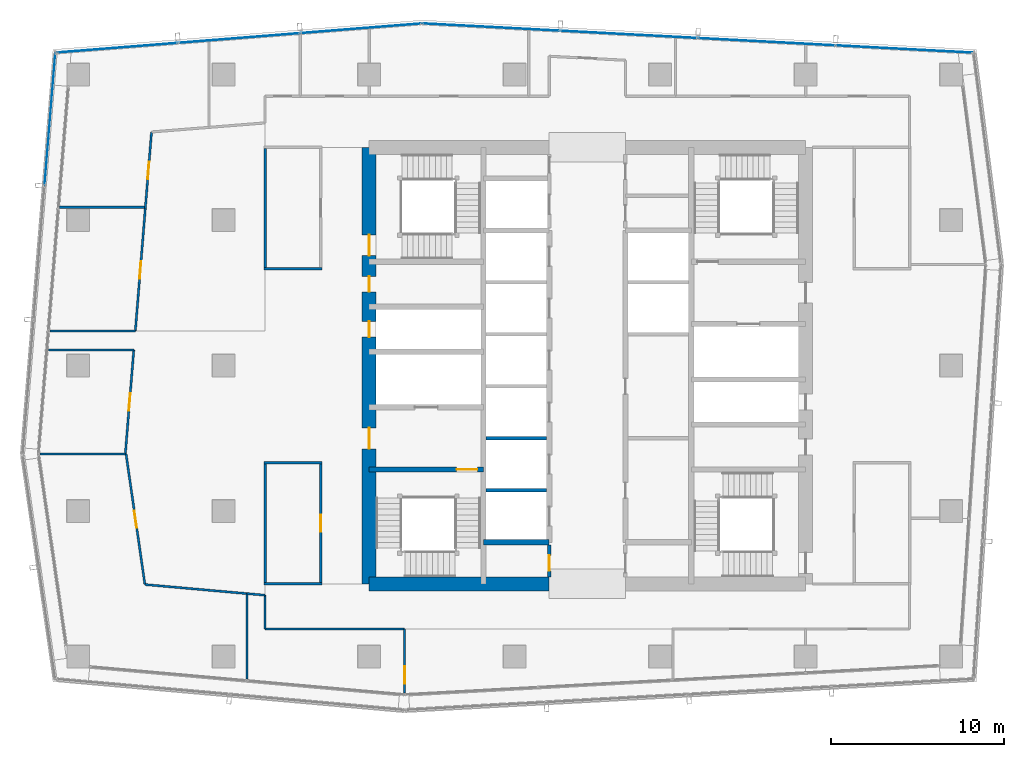
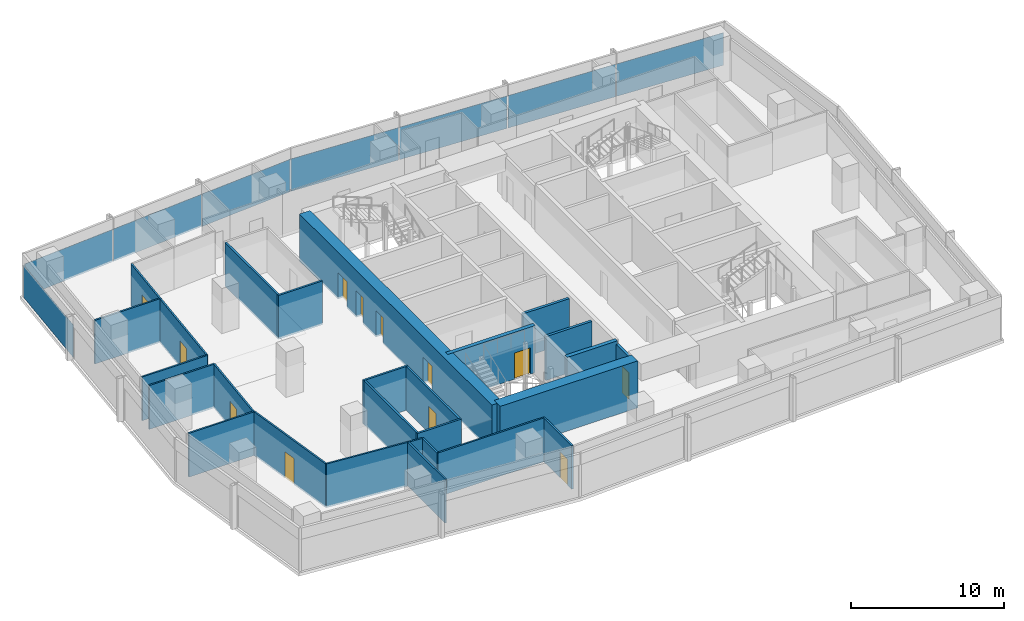
# One storey, part 22 of 29: 27 walls, 12 doors, 8 plates, 12 openings, 3 elements without a shape of their own.
"""IFC4 building model written with IfcOpenShell, lengths in metres."""

import ifcopenshell
import ifcopenshell.guid

model = None  # the IFC model being written
_history = None  # IfcOwnerHistory: only IFC2X3 demands one
_inside = {}  # id of a spatial element -> (the spatial element, [elements in it])
_under = {}  # id of a project, library or spatial element -> (it, [spatial elements below it])
_declared = {}  # id of a project -> (the project, [libraries it declares])
_typed = {}  # id of a type object -> (the type object, [elements of that type])
_made_of = {}  # id of a material, layer set ... -> (it, [elements and type objects made of it])


def new_model(schema):
    """Start an empty IFC model of exactly this schema.

    Asked for "IFC4X3", IfcOpenShell would pick the latest addendum, in which some entities
    have other attributes; the version numbers below select the first issue.
    IFC2X3 requires an IfcOwnerHistory on every rooted entity: one is made here for all.
    """
    global model, _history
    if schema == "IFC4X3":
        model = ifcopenshell.file(schema_version=(4, 3, 0, 0))
    else:
        model = ifcopenshell.file(schema=schema)
    _inside.clear()
    _under.clear()
    _declared.clear()
    _typed.clear()
    _made_of.clear()
    _history = None
    if model.schema == "IFC2X3":
        org = make("IfcOrganization", Name="unknown")
        user = make(
            "IfcPersonAndOrganization",
            ThePerson=make("IfcPerson", FamilyName="unknown"),
            TheOrganization=org,
        )
        app = make(
            "IfcApplication",
            ApplicationDeveloper=org,
            Version="unknown",
            ApplicationFullName="unknown",
            ApplicationIdentifier="unknown",
        )
        _history = make(
            "IfcOwnerHistory",
            OwningUser=user,
            OwningApplication=app,
            ChangeAction="ADDED",
            CreationDate=0,
        )
    return model


def make(cls, **values):
    """One entity of the class cls with the attributes given. An attribute that is None is left unset."""
    return model.create_entity(
        cls, **{name: value for name, value in values.items() if value is not None}
    )


def rooted(cls, **values):
    """An entity with a GlobalId (a new one), such as an element, a storey or a relation."""
    return make(cls, GlobalId=ifcopenshell.guid.new(), OwnerHistory=_history, **values)


def si_unit(unit_type, name, prefix=None):
    """IfcSIUnit, for example si_unit("LENGTHUNIT", "METRE", prefix="MILLI")."""
    return make("IfcSIUnit", UnitType=unit_type, Prefix=prefix, Name=name)


def assignment(units):
    """IfcUnitAssignment: the units of a project."""
    return None if units is None else make("IfcUnitAssignment", Units=units)


def point(xyz):
    """IfcCartesianPoint."""
    return None if xyz is None else make("IfcCartesianPoint", Coordinates=xyz)


def direction(xyz):
    """IfcDirection."""
    return None if xyz is None else make("IfcDirection", DirectionRatios=xyz)


def frame(location, z_axis=None, x_axis=None):
    """IfcAxis2Placement3D, a coordinate frame: its origin and axes. An axis left out is left unset."""
    return make(
        "IfcAxis2Placement3D",
        Location=point(location),
        Axis=direction(z_axis),
        RefDirection=direction(x_axis),
    )


def frame_2d(location, x_axis=None):
    """IfcAxis2Placement2D, a coordinate frame in the plane: its origin and x axis."""
    return make(
        "IfcAxis2Placement2D", Location=point(location), RefDirection=direction(x_axis)
    )


def origin():
    """The frame at (0, 0, 0) with its axes left unset."""
    return frame((0.0, 0.0, 0.0))


def origin_2d():
    """The frame at (0, 0) in the plane with its x axis left unset."""
    return frame_2d((0.0, 0.0))


def place(relative_to, where):
    """IfcLocalPlacement: puts the frame where relative to a parent placement (None: the world)."""
    return make(
        "IfcLocalPlacement", PlacementRelTo=relative_to, RelativePlacement=where
    )


def context(
    kind, dimensions, precision=None, world=None, true_north=None, identifier=None
):
    """IfcGeometricRepresentationContext, for example the 3D "Model" context."""
    return make(
        "IfcGeometricRepresentationContext",
        ContextIdentifier=identifier,
        ContextType=kind,
        CoordinateSpaceDimension=dimensions,
        Precision=precision,
        WorldCoordinateSystem=world,
        TrueNorth=true_north,
    )


def subcontext(parent, identifier, kind, view, scale=None):
    """IfcGeometricRepresentationSubContext, for example "Body" below "Model"."""
    return make(
        "IfcGeometricRepresentationSubContext",
        ContextIdentifier=identifier,
        ContextType=kind,
        ParentContext=parent,
        TargetScale=scale,
        TargetView=view,
    )


def project(units=None, contexts=None):
    """IfcProject with its units and contexts."""
    return rooted(
        "IfcProject",
        Name="project",
        RepresentationContexts=contexts,
        UnitsInContext=assignment(units),
    )


def spatial(cls, under=None, at=None, **own):
    """A site, building, storey or space (cls), placed at a placement, below another one or the project."""
    s = rooted(cls, ObjectPlacement=at, **own)
    if under is not None:
        _under.setdefault(under.id(), (under, []))[1].append(s)
    return s


def profile(cls, at=None, kind="AREA", **sizes):
    """A parametric profile (cls). Its sizes go by their IFC names, for example OverallWidth=200.0."""
    return make(cls, ProfileType=kind, Position=at, **sizes)


def rectangle(**sizes):
    """IfcRectangleProfileDef."""
    return profile("IfcRectangleProfileDef", **sizes)


def extrude(swept, where, along, depth):
    """IfcExtrudedAreaSolid: the profile swept, set in the frame where, extruded along a direction by depth."""
    return make(
        "IfcExtrudedAreaSolid",
        SweptArea=swept,
        Position=where,
        ExtrudedDirection=direction(along),
        Depth=depth,
    )


def shape(context_of_items, identifier, shape_type, items):
    """IfcShapeRepresentation: the items that make up one representation, for example the "Body"."""
    return make(
        "IfcShapeRepresentation",
        ContextOfItems=context_of_items,
        RepresentationIdentifier=identifier,
        RepresentationType=shape_type,
        Items=items,
    )


def material(Name=None, Category=None):
    """IfcMaterial."""
    return make("IfcMaterial", Name=Name, Category=Category)


def layer(
    of_material, thickness, ventilated=None, Name=None, Category=None, Priority=None
):
    """IfcMaterialLayer: one layer of a wall or slab, of a material (None: an air gap)."""
    return make(
        "IfcMaterialLayer",
        Material=of_material,
        LayerThickness=thickness,
        IsVentilated=ventilated,
        Name=Name,
        Category=Category,
        Priority=Priority,
    )


def layer_set(layers, Name=None):
    """IfcMaterialLayerSet."""
    return make("IfcMaterialLayerSet", MaterialLayers=layers, LayerSetName=Name)


def made_of(thing, what):
    """Note that an element or type object is made of a material, layer set ...; save() writes the relation."""
    if what is not None:
        _made_of.setdefault(what.id(), (what, []))[1].append(thing)
    return thing


def type_object(cls, material=None, **own):
    """A type object (cls), such as IfcWallType, which elements share."""
    return made_of(rooted(cls, **own), material)


def element(
    cls,
    number,
    at=None,
    inside=None,
    cuts=None,
    type_object=None,
    material=None,
    context=None,
    identifier="Body",
    shape_type=None,
    held_by="IfcProductDefinitionShape",
    body=None,
    shapes=None,
    **own,
):
    """One element of the class cls, such as IfcWall. Its Tag is "e" and its number.

    at: its placement. inside: the storey or other place that contains it. cuts: it is an
    opening in that element (IfcRelVoidsElement). A single representation is given by context,
    identifier, shape_type and body (its items); several are given by shapes. held_by: the class
    of the entity that holds the representations. save() writes the other relations.
    """
    e = rooted(cls, Tag="e%d" % number, ObjectPlacement=at, **own)
    if body is not None:
        shapes = [shape(context, identifier, shape_type, body)]
    if shapes is not None:
        e.Representation = make(held_by, Representations=shapes)
    if inside is not None:
        _inside.setdefault(inside.id(), (inside, []))[1].append(e)
    if cuts is not None:
        rooted(
            "IfcRelVoidsElement", RelatingBuildingElement=cuts, RelatedOpeningElement=e
        )
    if type_object is not None:
        _typed.setdefault(type_object.id(), (type_object, []))[1].append(e)
    return made_of(e, material)


def fill(opening, filler):
    """IfcRelFillsElement: the door or window that sits in an opening."""
    return rooted(
        "IfcRelFillsElement",
        RelatingOpeningElement=opening,
        RelatedBuildingElement=filler,
    )


def aggregate(whole, parts):
    """IfcRelAggregates: a whole, such as a stair, and the parts it consists of."""
    return rooted("IfcRelAggregates", RelatingObject=whole, RelatedObjects=parts)


def save(model, path):
    """Write the relations noted so far, then the file.

    IfcRelAggregates (storeys below a building ...), IfcRelContainedInSpatialStructure (elements
    in a storey), IfcRelDefinesByType, IfcRelAssociatesMaterial and IfcRelDeclares: one each for
    every whole, place, type object, material and project.
    """
    for whole, parts in _under.values():
        aggregate(whole, parts)
    for where, things in _inside.values():
        rooted(
            "IfcRelContainedInSpatialStructure",
            RelatedElements=things,
            RelatingStructure=where,
        )
    for kind, things in _typed.values():
        rooted("IfcRelDefinesByType", RelatedObjects=things, RelatingType=kind)
    for what, things in _made_of.values():
        rooted("IfcRelAssociatesMaterial", RelatedObjects=things, RelatingMaterial=what)
    for by, libraries in _declared.values():
        rooted("IfcRelDeclares", RelatingContext=by, RelatedDefinitions=libraries)
    model.write(path)


model = new_model("IFC4")

# Units and contexts
model_context = context("Model", 3, precision=1e-05, world=origin(), true_north=direction((0.0, 1.0)))
body_context = subcontext(model_context, "Body", "Model", "MODEL_VIEW")
ifc_project = project(units=[si_unit("LENGTHUNIT", "METRE"), si_unit("AREAUNIT", "SQUARE_METRE"), si_unit("VOLUMEUNIT", "CUBIC_METRE"), si_unit("PLANEANGLEUNIT", "RADIAN"), si_unit("MASSUNIT", "GRAM", prefix="KILO")], contexts=[model_context])

# Site, building, storey
site_placement = place(None, origin())
site = spatial("IfcSite", under=ifc_project, at=site_placement, CompositionType="ELEMENT")
building_placement = place(site_placement, origin())
building = spatial("IfcBuilding", under=site, at=building_placement, Name="Rekha Terrace Tower", CompositionType="ELEMENT")
storey_placement = place(building_placement, frame((0.0, 0.0, 257.60009765625)))
storey = spatial("IfcBuildingStorey", under=building, at=storey_placement, Name="L65", CompositionType="ELEMENT", Elevation=257.60009765625)

# Curtain wall, plate
ifc_material_1 = material(Name="Aluminium framing", Category="aluminium")
curtain_wall_type_1 = type_object("IfcCurtainWallType", Name="CW2 double skin outer glazing", PredefinedType="USERDEFINED", material=ifc_material_1)
curtain_wall_1_placement = place(storey_placement, origin())
curtain_wall_1 = element("IfcCurtainWall", 1, at=curtain_wall_1_placement, inside=storey, type_object=curtain_wall_type_1, Name="CW2 double skin outer glazing", ObjectType="DOUBLE SKIN OUTER GLAZING", PredefinedType="USERDEFINED")
ifc_material_2 = material(Name="Toughened single glazing 12", Category="glass")
ifc_layer_1 = layer(ifc_material_2, 0.011962890625)
ifc_layer_set_1 = layer_set([ifc_layer_1], Name="Toughened single glazing 12")
plate_type_1 = type_object("IfcPlateType", Name="CW2 jumbo vision panel, toughened single glazing 12", PredefinedType="CURTAIN_PANEL", material=ifc_layer_set_1)
plate_1_placement = place(storey_placement, frame((6.7822265625, 47.813720703125, -0.000244140625), z_axis=(0.0, 0.0, 1.0), x_axis=(-0.081067906816, -0.996708580521, 0.0)))
plate_1 = element("IfcPlate", 2, at=plate_1_placement, type_object=plate_type_1, Name="CW2 panel 1.1", PredefinedType="CURTAIN_PANEL", context=body_context, shape_type="SweptSolid", body=[
    extrude(rectangle(XDim=7.640869140625, YDim=0.011962890625, at=origin_2d()), origin(), (0.0, 0.0, 1.0), 2.60009765625),
])
aggregate(curtain_wall_1, [plate_1])

# Curtain wall, plates
curtain_wall_type_2 = type_object("IfcCurtainWallType", Name="CW3 north unitised glazing", PredefinedType="USERDEFINED", material=ifc_material_1)
curtain_wall_2_placement = place(storey_placement, origin())
curtain_wall_2 = element("IfcCurtainWall", 3, at=curtain_wall_2_placement, inside=storey, type_object=curtain_wall_type_2, Name="CW3 unitised curtain wall", ObjectType="UNITISED CURTAIN WALL", PredefinedType="USERDEFINED")
ifc_material_3 = material(Name="Double-glazed unit 28", Category="glass")
ifc_layer_2 = layer(ifc_material_3, 0.028076171875)
ifc_layer_set_2 = layer_set([ifc_layer_2], Name="Double-glazed unit 28")
plate_type_2 = type_object("IfcPlateType", Name="CW3 jumbo vision panel, double-glazed unit 28", PredefinedType="CURTAIN_PANEL", material=ifc_layer_set_2)
plate_2_placement = place(storey_placement, frame((56.080322265625, 51.871337890625, -0.000244140625), z_axis=(0.0, 0.0, 1.0), x_axis=(-0.998590089005, 0.053083275524, 0.0)))
plate_2 = element("IfcPlate", 4, at=plate_2_placement, type_object=plate_type_2, Name="CW3 panel 1.1", PredefinedType="CURTAIN_PANEL", context=body_context, shape_type="SweptSolid", body=[
    extrude(rectangle(XDim=7.856201171875, YDim=0.028076171875, at=origin_2d()), origin(), (0.0, 0.0, 1.0), 2.60009765625),
])
plate_3_placement = place(storey_placement, frame((48.14794921875, 52.29296875, -0.000244140625), z_axis=(0.0, 0.0, 1.0), x_axis=(-0.998590089005, 0.053083275524, 0.0)))
plate_3 = element("IfcPlate", 5, at=plate_3_placement, type_object=plate_type_2, Name="CW3 panel 2.1", PredefinedType="CURTAIN_PANEL", context=body_context, shape_type="SweptSolid", body=[
    extrude(rectangle(XDim=7.891357421875, YDim=0.028076171875, at=origin_2d()), origin(), (0.0, 0.0, 1.0), 2.60009765625),
])
plate_4_placement = place(storey_placement, frame((40.19775390625, 52.715576171875, -0.000244140625), z_axis=(0.0, 0.0, 1.0), x_axis=(-0.998590089005, 0.053083275524, 0.0)))
plate_4 = element("IfcPlate", 6, at=plate_4_placement, type_object=plate_type_2, Name="CW3 panel 3.1", PredefinedType="CURTAIN_PANEL", context=body_context, shape_type="SweptSolid", body=[
    extrude(rectangle(XDim=7.891357421875, YDim=0.028076171875, at=origin_2d()), origin(), (0.0, 0.0, 1.0), 2.60009765625),
])
plate_5_placement = place(storey_placement, frame((32.230224609375, 53.13916015625, -0.000244140625), z_axis=(0.0, 0.0, 1.0), x_axis=(-0.998590089005, 0.053083275524, 0.0)))
plate_5 = element("IfcPlate", 7, at=plate_5_placement, type_object=plate_type_2, Name="CW3 panel 4.1", PredefinedType="CURTAIN_PANEL", context=body_context, shape_type="SweptSolid", body=[
    extrude(rectangle(XDim=7.92626953125, YDim=0.028076171875, at=origin_2d()), origin(), (0.0, 0.0, 1.0), 2.60009765625),
])
aggregate(curtain_wall_2, [plate_2, plate_3, plate_4, plate_5])

curtain_wall_3_placement = place(storey_placement, origin())
curtain_wall_3 = element("IfcCurtainWall", 8, at=curtain_wall_3_placement, inside=storey, type_object=curtain_wall_type_2, Name="CW3 unitised curtain wall", ObjectType="UNITISED CURTAIN WALL", PredefinedType="USERDEFINED")
plate_6_placement = place(storey_placement, frame((24.732421875, 53.0673828125, -0.000244140625), z_axis=(0.0, 0.0, 1.0), x_axis=(-0.996836058026, -0.07948505154, 0.0)))
plate_6 = element("IfcPlate", 9, at=plate_6_placement, type_object=plate_type_2, Name="CW3 panel 1.1", PredefinedType="CURTAIN_PANEL", context=body_context, shape_type="SweptSolid", body=[
    extrude(rectangle(XDim=6.963134765625, YDim=0.028076171875, at=origin_2d()), origin(), (0.0, 0.0, 1.0), 2.60009765625),
])
plate_7_placement = place(storey_placement, frame((17.7041015625, 52.5068359375, -0.000244140625), z_axis=(0.0, 0.0, 1.0), x_axis=(-0.996836058026, -0.07948505154, 0.0)))
plate_7 = element("IfcPlate", 10, at=plate_7_placement, type_object=plate_type_2, Name="CW3 panel 2.1", PredefinedType="CURTAIN_PANEL", context=body_context, shape_type="SweptSolid", body=[
    extrude(rectangle(XDim=6.998046875, YDim=0.028076171875, at=origin_2d()), origin(), (0.0, 0.0, 1.0), 2.60009765625),
])
plate_8_placement = place(storey_placement, frame((10.67578125, 51.946533203125, -0.000244140625), z_axis=(0.0, 0.0, 1.0), x_axis=(-0.996836058026, -0.07948505154, 0.0)))
plate_8 = element("IfcPlate", 11, at=plate_8_placement, type_object=plate_type_2, Name="CW3 panel 3.1", PredefinedType="CURTAIN_PANEL", context=body_context, shape_type="SweptSolid", body=[
    extrude(rectangle(XDim=6.963134765625, YDim=0.028076171875, at=origin_2d()), origin(), (0.0, 0.0, 1.0), 2.60009765625),
])
aggregate(curtain_wall_3, [plate_6, plate_7, plate_8])

# Wall
ifc_material_4 = material(Name="Concrete M60", Category="concrete")
ifc_layer_3 = layer(ifc_material_4, 0.300048828125)
ifc_layer_set_3 = layer_set([ifc_layer_3], Name="Concrete M60")
wall_type_1 = type_object("IfcWallType", Name="CI5 300 core internal shear wall", PredefinedType="SHEAR", material=ifc_layer_set_3)
wall_1_placement = place(storey_placement, frame((31.800048828125, 23.39990234375, 0.0), z_axis=(0.0, 0.0, 1.0), x_axis=(1.0, 0.0, 0.0)))
element("IfcWall", 12, at=wall_1_placement, inside=storey, type_object=wall_type_1, Name="Core wall Y234W L65", PredefinedType="SHEAR", context=body_context, shape_type="SweptSolid", body=[
    extrude(rectangle(XDim=3.800048828125, YDim=0.300048828125, at=frame_2d((1.89990234375, 0.0))), origin(), (0.0, 0.0, 1.0), 3.75),
])

# Wall, opening, door
wall_2_placement = place(storey_placement, frame((25.199951171875, 27.60009765625, 0.0), z_axis=(0.0, 0.0, 1.0), x_axis=(1.0, 0.0, 0.0)))
wall_2 = element("IfcWall", 13, at=wall_2_placement, inside=storey, type_object=wall_type_1, Name="Core wall Y276W L65", PredefinedType="SHEAR", context=body_context, shape_type="SweptSolid", body=[
    extrude(rectangle(XDim=6.60009765625, YDim=0.300048828125, at=frame_2d((3.300048828125, 0.0))), origin(), (0.0, 0.0, 1.0), 3.75),
])
opening_1_placement = place(wall_2_placement, frame((5.050048828125, 0.0, 0.0)))
opening_1 = element("IfcOpeningElement", 14, at=opening_1_placement, cuts=wall_2, Name="Opening D1", PredefinedType="OPENING", context=body_context, shape_type="SweptSolid", body=[
    extrude(rectangle(XDim=1.199951171875, YDim=2.10009765625, at=frame_2d((0.60009765625, 1.050048828125))), frame((0.0, 0.159912109375, 0.0), z_axis=(0.0, -1.0, 0.0), x_axis=(1.0, 0.0, 0.0)), (0.0, 0.0, 1.0), 0.320068359375),
])
ifc_material_5 = material(Name="Steel fire door", Category="steel")
door_type_1 = type_object("IfcDoorType", Name="D1 1200x2100 stair fire door", OperationType="SINGLE_SWING_RIGHT", PredefinedType="DOOR", material=ifc_material_5)
door_1_placement = place(opening_1_placement, origin())
door_1 = element("IfcDoor", 15, at=door_1_placement, inside=storey, type_object=door_type_1, Name="Stair ST1 door L65", OperationType="SINGLE_SWING_RIGHT", OverallHeight=2.10009765625, OverallWidth=1.199951171875, PredefinedType="DOOR", context=body_context, shape_type="SweptSolid", body=[
    extrude(rectangle(XDim=1.199951171875, YDim=2.10009765625, at=frame_2d((0.60009765625, 1.050048828125))), frame((0.0, 0.02490234375, 0.0), z_axis=(0.0, -1.0, 0.0), x_axis=(1.0, 0.0, 0.0)), (0.0, 0.0, 1.0), 0.050048828125),
])
fill(opening_1, door_1)

# Wall
ifc_layer_4 = layer(ifc_material_4, 0.800048828125)
ifc_layer_set_4 = layer_set([ifc_layer_4], Name="Concrete M60")
wall_type_2 = type_object("IfcWallType", Name="SW5 800 core outer shear wall", PredefinedType="SHEAR", material=ifc_layer_set_4)
wall_3_placement = place(storey_placement, frame((25.199951171875, 21.0, 0.0), z_axis=(0.0, 0.0, 1.0), x_axis=(1.0, 0.0, 0.0)))
element("IfcWall", 16, at=wall_3_placement, inside=storey, type_object=wall_type_2, Name="Core wall S1 L65", PredefinedType="SHEAR", context=body_context, shape_type="SweptSolid", body=[
    extrude(rectangle(XDim=10.400146484375, YDim=0.800048828125, at=frame_2d((5.2001953125, 0.0))), origin(), (0.0, 0.0, 1.0), 3.75),
])

# Wall, openings, doors
wall_4_placement = place(storey_placement, frame((25.199951171875, 21.0, 0.0), z_axis=(0.0, 0.0, 1.0), x_axis=(0.0, 1.0, 0.0)))
wall_4 = element("IfcWall", 17, at=wall_4_placement, inside=storey, type_object=wall_type_2, Name="Core wall W L65", PredefinedType="SHEAR", context=body_context, shape_type="SweptSolid", body=[
    extrude(rectangle(XDim=25.199951171875, YDim=0.800048828125, at=frame_2d((12.60009765625, 0.0))), origin(), (0.0, 0.0, 1.0), 3.75),
])
opening_2_placement = place(wall_4_placement, frame((7.800048828125, 0.0, 0.0)))
opening_2 = element("IfcOpeningElement", 18, at=opening_2_placement, cuts=wall_4, Name="Opening D2", PredefinedType="OPENING", context=body_context, shape_type="SweptSolid", body=[
    extrude(rectangle(XDim=1.199951171875, YDim=2.10009765625, at=frame_2d((0.60009765625, 1.050048828125))), frame((0.0, 0.409912109375, 0.0), z_axis=(0.0, -1.0, 0.0), x_axis=(1.0, 0.0, 0.0)), (0.0, 0.0, 1.0), 0.820068359375),
])
opening_3_placement = place(wall_4_placement, frame((14.25, 0.0, 0.0)))
opening_3 = element("IfcOpeningElement", 19, at=opening_3_placement, cuts=wall_4, Name="Opening D5", PredefinedType="OPENING", context=body_context, shape_type="SweptSolid", body=[
    extrude(rectangle(XDim=0.89990234375, YDim=2.10009765625, at=frame_2d((0.449951171875, 1.050048828125))), frame((0.0, 0.409912109375, 0.0), z_axis=(0.0, -1.0, 0.0), x_axis=(1.0, 0.0, 0.0)), (0.0, 0.0, 1.0), 0.820068359375),
])
opening_4_placement = place(wall_4_placement, frame((16.85009765625, 0.0, 0.0)))
opening_4 = element("IfcOpeningElement", 20, at=opening_4_placement, cuts=wall_4, Name="Opening D5", PredefinedType="OPENING", context=body_context, shape_type="SweptSolid", body=[
    extrude(rectangle(XDim=0.89990234375, YDim=2.10009765625, at=frame_2d((0.449951171875, 1.050048828125))), frame((0.0, 0.409912109375, 0.0), z_axis=(0.0, -1.0, 0.0), x_axis=(1.0, 0.0, 0.0)), (0.0, 0.0, 1.0), 0.820068359375),
])
opening_5_placement = place(wall_4_placement, frame((18.949951171875, 0.0, 0.0)))
opening_5 = element("IfcOpeningElement", 21, at=opening_5_placement, cuts=wall_4, Name="Opening D1", PredefinedType="OPENING", context=body_context, shape_type="SweptSolid", body=[
    extrude(rectangle(XDim=1.199951171875, YDim=2.10009765625, at=frame_2d((0.60009765625, 1.050048828125))), frame((0.0, 0.409912109375, 0.0), z_axis=(0.0, -1.0, 0.0), x_axis=(1.0, 0.0, 0.0)), (0.0, 0.0, 1.0), 0.820068359375),
])
door_2_placement = place(opening_5_placement, origin())
door_2 = element("IfcDoor", 22, at=door_2_placement, inside=storey, type_object=door_type_1, Name="Stair ST4 door L65", OperationType="SINGLE_SWING_RIGHT", OverallHeight=2.10009765625, OverallWidth=1.199951171875, PredefinedType="DOOR", context=body_context, shape_type="SweptSolid", body=[
    extrude(rectangle(XDim=1.199951171875, YDim=2.10009765625, at=frame_2d((0.60009765625, 1.050048828125))), frame((0.0, 0.02490234375, 0.0), z_axis=(0.0, -1.0, 0.0), x_axis=(1.0, 0.0, 0.0)), (0.0, 0.0, 1.0), 0.050048828125),
])
fill(opening_5, door_2)
door_type_2 = type_object("IfcDoorType", Name="D2 1200x2100 firefighting lobby door", OperationType="SINGLE_SWING_LEFT", PredefinedType="DOOR", material=ifc_material_5)
door_3_placement = place(opening_2_placement, origin())
door_3 = element("IfcDoor", 23, at=door_3_placement, inside=storey, type_object=door_type_2, Name="Door flb1 L65", OperationType="SINGLE_SWING_LEFT", OverallHeight=2.10009765625, OverallWidth=1.199951171875, PredefinedType="DOOR", context=body_context, shape_type="SweptSolid", body=[
    extrude(rectangle(XDim=1.199951171875, YDim=2.10009765625, at=frame_2d((0.60009765625, 1.050048828125))), frame((0.0, 0.02490234375, 0.0), z_axis=(0.0, -1.0, 0.0), x_axis=(1.0, 0.0, 0.0)), (0.0, 0.0, 1.0), 0.050048828125),
])
fill(opening_2, door_3)
door_type_3 = type_object("IfcDoorType", Name="D5 900x2100 riser access door", OperationType="SINGLE_SWING_LEFT", PredefinedType="DOOR", material=ifc_material_5)
door_4_placement = place(opening_3_placement, origin())
door_4 = element("IfcDoor", 24, at=door_4_placement, inside=storey, type_object=door_type_3, Name="Door rs1 L65", OperationType="SINGLE_SWING_LEFT", OverallHeight=2.10009765625, OverallWidth=0.89990234375, PredefinedType="DOOR", context=body_context, shape_type="SweptSolid", body=[
    extrude(rectangle(XDim=0.89990234375, YDim=2.10009765625, at=frame_2d((0.449951171875, 1.050048828125))), frame((0.0, 0.02490234375, 0.0), z_axis=(0.0, -1.0, 0.0), x_axis=(1.0, 0.0, 0.0)), (0.0, 0.0, 1.0), 0.050048828125),
])
fill(opening_3, door_4)
door_5_placement = place(opening_4_placement, origin())
door_5 = element("IfcDoor", 25, at=door_5_placement, inside=storey, type_object=door_type_3, Name="Door elw L65", OperationType="SINGLE_SWING_LEFT", OverallHeight=2.10009765625, OverallWidth=0.89990234375, PredefinedType="DOOR", context=body_context, shape_type="SweptSolid", body=[
    extrude(rectangle(XDim=0.89990234375, YDim=2.10009765625, at=frame_2d((0.449951171875, 1.050048828125))), frame((0.0, 0.02490234375, 0.0), z_axis=(0.0, -1.0, 0.0), x_axis=(1.0, 0.0, 0.0)), (0.0, 0.0, 1.0), 0.050048828125),
])
fill(opening_4, door_5)

# Walls
ifc_material_6 = material(Name="Concrete block masonry, 1 hour", Category="masonry")
ifc_layer_5 = layer(ifc_material_6, 0.14990234375)
ifc_layer_set_5 = layer_set([ifc_layer_5], Name="Concrete block masonry, 1 hour")
wall_type_3 = type_object("IfcWallType", Name="WP2 150 tenancy partition", PredefinedType="PARTITIONING", material=ifc_layer_set_5)
wall_5_placement = place(storey_placement, frame((19.125, 39.199951171875, 0.0), z_axis=(0.0, 0.0, 1.0), x_axis=(1.0, 0.0, 0.0)))
element("IfcWall", 26, at=wall_5_placement, inside=storey, type_object=wall_type_3, Name="Women's WC wall L65", PredefinedType="PARTITIONING", context=body_context, shape_type="SweptSolid", body=[
    extrude(rectangle(XDim=3.35009765625, YDim=0.14990234375, at=frame_2d((1.675048828125, 0.0))), origin(), (0.0, 0.0, 1.0), 3.5),
])
wall_6_placement = place(storey_placement, frame((19.199951171875, 39.27490234375, 0.0), z_axis=(0.0, 0.0, 1.0), x_axis=(0.0, 1.0, 0.0)))
element("IfcWall", 27, at=wall_6_placement, inside=storey, type_object=wall_type_3, Name="Women's WC wall L65", PredefinedType="PARTITIONING", context=body_context, shape_type="SweptSolid", body=[
    extrude(rectangle(XDim=6.85009765625, YDim=0.14990234375, at=frame_2d((3.425048828125, 0.0))), origin(), (0.0, 0.0, 1.0), 3.5),
])
for number, where, z_axis, x_axis, name in (
    (28, (19.125, 21.0, 0.0), (0.0, 0.0, 1.0), (1.0, 0.0, 0.0), "Men's WC wall L65"),
    (29, (19.125, 28.0, 0.0), (0.0, 0.0, 1.0), (1.0, 0.0, 0.0), "Men's WC wall L65"),
):
    element("IfcWall", number, at=place(storey_placement, frame(where, z_axis=z_axis, x_axis=x_axis)), inside=storey, type_object=wall_type_3, Name=name, PredefinedType="PARTITIONING", context=body_context, shape_type="SweptSolid", body=[
        extrude(rectangle(XDim=3.35009765625, YDim=0.14990234375, at=frame_2d((1.675048828125, 0.0))), origin(), (0.0, 0.0, 1.0), 3.5),
    ])
wall_7_placement = place(storey_placement, frame((19.199951171875, 21.074951171875, 0.0), z_axis=(0.0, 0.0, 1.0), x_axis=(0.0, 1.0, 0.0)))
element("IfcWall", 30, at=wall_7_placement, inside=storey, type_object=wall_type_3, Name="Men's WC wall L65", PredefinedType="PARTITIONING", context=body_context, shape_type="SweptSolid", body=[
    extrude(rectangle(XDim=6.85009765625, YDim=0.14990234375, at=frame_2d((3.425048828125, 0.0))), origin(), (0.0, 0.0, 1.0), 3.5),
])

# Wall, opening, door
wall_8_placement = place(storey_placement, frame((22.39990234375, 21.074951171875, 0.0), z_axis=(0.0, 0.0, 1.0), x_axis=(0.0, 1.0, 0.0)))
wall_8 = element("IfcWall", 31, at=wall_8_placement, inside=storey, type_object=wall_type_3, Name="Men's WC wall L65", PredefinedType="PARTITIONING", context=body_context, shape_type="SweptSolid", body=[
    extrude(rectangle(XDim=6.85009765625, YDim=0.14990234375, at=frame_2d((3.425048828125, 0.0))), origin(), (0.0, 0.0, 1.0), 3.5),
])
opening_6_placement = place(wall_8_placement, frame((2.925048828125, 0.0, 0.0)))
opening_6 = element("IfcOpeningElement", 32, at=opening_6_placement, cuts=wall_8, Name="Opening D3", PredefinedType="OPENING", context=body_context, shape_type="SweptSolid", body=[
    extrude(rectangle(XDim=1.0, YDim=2.10009765625, at=frame_2d((0.5, 1.050048828125))), frame((0.0, 0.0849609375, 0.0), z_axis=(0.0, -1.0, 0.0), x_axis=(1.0, 0.0, 0.0)), (0.0, 0.0, 1.0), 0.169921875),
])
ifc_material_7 = material(Name="Laminated timber fire door", Category="wood")
door_type_4 = type_object("IfcDoorType", Name="D3 1000x2100 WC door", OperationType="SINGLE_SWING_LEFT", PredefinedType="DOOR", material=ifc_material_7)
door_6_placement = place(opening_6_placement, origin())
door_6 = element("IfcDoor", 33, at=door_6_placement, inside=storey, type_object=door_type_4, Name="Door men's wc L65", OperationType="SINGLE_SWING_LEFT", OverallHeight=2.10009765625, OverallWidth=1.0, PredefinedType="DOOR", context=body_context, shape_type="SweptSolid", body=[
    extrude(rectangle(XDim=1.0, YDim=2.10009765625, at=frame_2d((0.5, 1.050048828125))), frame((0.0, 0.02490234375, 0.0), z_axis=(0.0, -1.0, 0.0), x_axis=(1.0, 0.0, 0.0)), (0.0, 0.0, 1.0), 0.050048828125),
])
fill(opening_6, door_6)

# Wall
ifc_material_8 = material(Name="Two layers of fire-rated gypsum board each side on steel studs, acoustic quilt, 1 hour", Category="steel")
ifc_layer_6 = layer(ifc_material_8, 0.125)
ifc_layer_set_6 = layer_set([ifc_layer_6], Name="Two layers of fire-rated gypsum board each side on steel studs, acoustic quilt, 1 hour")
wall_type_4 = type_object("IfcWallType", Name="WP3 125 office partition", PredefinedType="PARTITIONING", material=ifc_layer_set_6)
wall_9_placement = place(storey_placement, frame((12.22607421875, 42.741943359375, 0.0), z_axis=(0.0, 0.0, 1.0), x_axis=(-1.0, 0.0, 0.0)))
element("IfcWall", 34, at=wall_9_placement, inside=storey, type_object=wall_type_4, Name="Partition L65-12", PredefinedType="PARTITIONING", context=body_context, shape_type="SweptSolid", body=[
    extrude(rectangle(XDim=4.903076171875, YDim=0.125, at=frame_2d((2.45166015625, 0.0))), origin(), (0.0, 0.0, 1.0), 3.5),
])

# Wall, opening, door
wall_10_placement = place(storey_placement, frame((12.64306640625, 47.0869140625, 0.0), z_axis=(0.0, 0.0, 1.0), x_axis=(-0.081240627764, -0.996694517092, 0.0)))
wall_10 = element("IfcWall", 35, at=wall_10_placement, inside=storey, type_object=wall_type_4, Name="Partition L65-12", PredefinedType="PARTITIONING", context=body_context, shape_type="SweptSolid", body=[
    extrude(rectangle(XDim=4.444580078125, YDim=0.125, at=frame_2d((2.22216796875, 0.0))), origin(), (0.0, 0.0, 1.0), 3.5),
])
opening_7_placement = place(wall_10_placement, frame((1.721923828125, 0.0, 0.0)))
opening_7 = element("IfcOpeningElement", 36, at=opening_7_placement, cuts=wall_10, Name="Opening D9", PredefinedType="OPENING", context=body_context, shape_type="SweptSolid", body=[
    extrude(rectangle(XDim=1.0, YDim=2.10009765625, at=frame_2d((0.5, 1.050048828125))), frame((0.0, 0.072509765625, 0.0), z_axis=(0.0, -1.0, 0.0), x_axis=(1.0, 0.0, 0.0)), (0.0, 0.0, 1.0), 0.14501953125),
])
ifc_material_9 = material(Name="Timber fire door", Category="wood")
door_type_5 = type_object("IfcDoorType", Name="D9 1000x2100 office door", OperationType="SINGLE_SWING_LEFT", PredefinedType="DOOR", material=ifc_material_9)
door_7_placement = place(opening_7_placement, origin())
door_7 = element("IfcDoor", 37, at=door_7_placement, inside=storey, type_object=door_type_5, Name="Door director's office L65", OperationType="SINGLE_SWING_LEFT", OverallHeight=2.10009765625, OverallWidth=1.0, PredefinedType="DOOR", context=body_context, shape_type="SweptSolid", body=[
    extrude(rectangle(XDim=1.0, YDim=2.10009765625, at=frame_2d((0.5, 1.050048828125))), frame((0.0, 0.02490234375, 0.0), z_axis=(0.0, -1.0, 0.0), x_axis=(1.0, 0.0, 0.0)), (0.0, 0.0, 1.0), 0.050048828125),
])
fill(opening_7, door_7)

wall_11_placement = place(storey_placement, frame((12.281982421875, 42.656005859375, 0.0), z_axis=(0.0, 0.0, 1.0), x_axis=(-0.08110159124, -0.996705840205, 0.0)))
wall_11 = element("IfcWall", 38, at=wall_11_placement, inside=storey, type_object=wall_type_4, Name="Partition L65-13", PredefinedType="PARTITIONING", context=body_context, shape_type="SweptSolid", body=[
    extrude(rectangle(XDim=7.08935546875, YDim=0.125, at=frame_2d((3.544677734375, 0.0))), origin(), (0.0, 0.0, 1.0), 3.5),
])
opening_8_placement = place(wall_11_placement, frame((3.044921875, 0.0, 0.0)))
opening_8 = element("IfcOpeningElement", 39, at=opening_8_placement, cuts=wall_11, Name="Opening D9", PredefinedType="OPENING", context=body_context, shape_type="SweptSolid", body=[
    extrude(rectangle(XDim=1.0, YDim=2.10009765625, at=frame_2d((0.5, 1.050048828125))), frame((0.0, 0.072509765625, 0.0), z_axis=(0.0, -1.0, 0.0), x_axis=(1.0, 0.0, 0.0)), (0.0, 0.0, 1.0), 0.14501953125),
])
door_8_placement = place(opening_8_placement, origin())
door_8 = element("IfcDoor", 40, at=door_8_placement, inside=storey, type_object=door_type_5, Name="Door breakout lounge L65", OperationType="SINGLE_SWING_LEFT", OverallHeight=2.10009765625, OverallWidth=1.0, PredefinedType="DOOR", context=body_context, shape_type="SweptSolid", body=[
    extrude(rectangle(XDim=1.0, YDim=2.10009765625, at=frame_2d((0.5, 1.050048828125))), frame((0.0, 0.02490234375, 0.0), z_axis=(0.0, -1.0, 0.0), x_axis=(1.0, 0.0, 0.0)), (0.0, 0.0, 1.0), 0.050048828125),
])
fill(opening_8, door_8)

# Walls
wall_12_placement = place(storey_placement, frame((11.70703125, 35.590087890625, 0.0), z_axis=(0.0, 0.0, 1.0), x_axis=(-1.0, 0.0, 0.0)))
element("IfcWall", 41, at=wall_12_placement, inside=storey, type_object=wall_type_4, Name="Partition L65-13", PredefinedType="PARTITIONING", context=body_context, shape_type="SweptSolid", body=[
    extrude(rectangle(XDim=4.93603515625, YDim=0.125, at=frame_2d((2.468017578125, 0.0))), origin(), (0.0, 0.0, 1.0), 3.5),
])
wall_13_placement = place(storey_placement, frame((6.68310546875, 34.509033203125, 0.0), z_axis=(0.0, 0.0, 1.0), x_axis=(1.0, 0.0, 0.0)))
element("IfcWall", 42, at=wall_13_placement, inside=storey, type_object=wall_type_4, Name="Partition L65-14", PredefinedType="PARTITIONING", context=body_context, shape_type="SweptSolid", body=[
    extrude(rectangle(XDim=4.935791015625, YDim=0.125, at=frame_2d((2.4677734375, 0.0))), origin(), (0.0, 0.0, 1.0), 3.5),
])

# Wall, opening, door
wall_14_placement = place(storey_placement, frame((11.618896484375, 34.509033203125, 0.0), z_axis=(0.0, 0.0, 1.0), x_axis=(-0.081003722278, -0.99671379893, 0.0)))
wall_14 = element("IfcWall", 43, at=wall_14_placement, inside=storey, type_object=wall_type_4, Name="Partition L65-14", PredefinedType="PARTITIONING", context=body_context, shape_type="SweptSolid", body=[
    extrude(rectangle(XDim=6.036865234375, YDim=0.125, at=frame_2d((3.0185546875, 0.0))), origin(), (0.0, 0.0, 1.0), 3.5),
])
opening_9_placement = place(wall_14_placement, frame((2.51806640625, 0.0, 0.0)))
opening_9 = element("IfcOpeningElement", 44, at=opening_9_placement, cuts=wall_14, Name="Opening D9", PredefinedType="OPENING", context=body_context, shape_type="SweptSolid", body=[
    extrude(rectangle(XDim=1.0, YDim=2.10009765625, at=frame_2d((0.5, 1.050048828125))), frame((0.0, 0.072509765625, 0.0), z_axis=(0.0, -1.0, 0.0), x_axis=(1.0, 0.0, 0.0)), (0.0, 0.0, 1.0), 0.14501953125),
])
door_9_placement = place(opening_9_placement, origin())
door_9 = element("IfcDoor", 45, at=door_9_placement, inside=storey, type_object=door_type_5, Name="Door meeting room L65", OperationType="SINGLE_SWING_LEFT", OverallHeight=2.10009765625, OverallWidth=1.0, PredefinedType="DOOR", context=body_context, shape_type="SweptSolid", body=[
    extrude(rectangle(XDim=1.0, YDim=2.10009765625, at=frame_2d((0.5, 1.050048828125))), frame((0.0, 0.02490234375, 0.0), z_axis=(0.0, -1.0, 0.0), x_axis=(1.0, 0.0, 0.0)), (0.0, 0.0, 1.0), 0.050048828125),
])
fill(opening_9, door_9)

# Wall
wall_15_placement = place(storey_placement, frame((11.1298828125, 28.491943359375, 0.0), z_axis=(0.0, 0.0, 1.0), x_axis=(-1.0, 0.0, 0.0)))
element("IfcWall", 46, at=wall_15_placement, inside=storey, type_object=wall_type_4, Name="Partition L65-14", PredefinedType="PARTITIONING", context=body_context, shape_type="SweptSolid", body=[
    extrude(rectangle(XDim=4.928955078125, YDim=0.125, at=frame_2d((2.46435546875, 0.0))), origin(), (0.0, 0.0, 1.0), 3.5),
])

# Wall, opening, door
wall_16_placement = place(storey_placement, frame((11.173095703125, 28.488037109375, 0.0), z_axis=(0.0, 0.0, 1.0), x_axis=(0.143061748966, -0.989713764673, 0.0)))
wall_16 = element("IfcWall", 47, at=wall_16_placement, inside=storey, type_object=wall_type_4, Name="Partition L65-15", PredefinedType="PARTITIONING", context=body_context, shape_type="SweptSolid", body=[
    extrude(rectangle(XDim=7.604248046875, YDim=0.125, at=frame_2d((3.80224609375, 0.0))), origin(), (0.0, 0.0, 1.0), 3.5),
])
opening_10_placement = place(wall_16_placement, frame((3.301025390625, 0.0, 0.0)))
opening_10 = element("IfcOpeningElement", 48, at=opening_10_placement, cuts=wall_16, Name="Opening D9", PredefinedType="OPENING", context=body_context, shape_type="SweptSolid", body=[
    extrude(rectangle(XDim=1.0, YDim=2.10009765625, at=frame_2d((0.5, 1.050048828125))), frame((0.0, 0.072509765625, 0.0), z_axis=(0.0, -1.0, 0.0), x_axis=(1.0, 0.0, 0.0)), (0.0, 0.0, 1.0), 0.14501953125),
])
door_10_placement = place(opening_10_placement, origin())
door_10 = element("IfcDoor", 49, at=door_10_placement, inside=storey, type_object=door_type_5, Name="Door director's office L65", OperationType="SINGLE_SWING_LEFT", OverallHeight=2.10009765625, OverallWidth=1.0, PredefinedType="DOOR", context=body_context, shape_type="SweptSolid", body=[
    extrude(rectangle(XDim=1.0, YDim=2.10009765625, at=frame_2d((0.5, 1.050048828125))), frame((0.0, 0.02490234375, 0.0), z_axis=(0.0, -1.0, 0.0), x_axis=(1.0, 0.0, 0.0)), (0.0, 0.0, 1.0), 0.050048828125),
])
fill(opening_10, door_10)

# Walls
wall_17_placement = place(storey_placement, frame((12.260986328125, 20.9619140625, 0.0), z_axis=(0.0, 0.0, 1.0), x_axis=(0.996078951833, -0.08846876124, 0.0)))
element("IfcWall", 50, at=wall_17_placement, inside=storey, type_object=wall_type_4, Name="Partition L65-15", PredefinedType="PARTITIONING", context=body_context, shape_type="SweptSolid", body=[
    extrude(rectangle(XDim=5.9111328125, YDim=0.125, at=frame_2d((2.95556640625, 0.0))), origin(), (0.0, 0.0, 1.0), 3.5),
])
wall_18_placement = place(storey_placement, frame((18.14892578125, 20.43896484375, 0.0), z_axis=(0.0, 0.0, 1.0), x_axis=(0.0, -1.0, 0.0)))
element("IfcWall", 51, at=wall_18_placement, inside=storey, type_object=wall_type_4, Name="Partition L65-15", PredefinedType="PARTITIONING", context=body_context, shape_type="SweptSolid", body=[
    extrude(rectangle(XDim=4.93896484375, YDim=0.125, at=frame_2d((2.469482421875, 0.0))), origin(), (0.0, 0.0, 1.0), 3.5),
])
wall_19_placement = place(storey_placement, frame((19.199951171875, 18.39990234375, 0.0), z_axis=(0.0, 0.0, 1.0), x_axis=(1.0, 0.0, 0.0)))
element("IfcWall", 52, at=wall_19_placement, inside=storey, type_object=wall_type_4, Name="Partition L65-16", PredefinedType="PARTITIONING", context=body_context, shape_type="SweptSolid", body=[
    extrude(rectangle(XDim=8.053955078125, YDim=0.125, at=frame_2d((4.02685546875, 0.0))), origin(), (0.0, 0.0, 1.0), 3.5),
])

# Wall, opening, door
wall_20_placement = place(storey_placement, frame((27.25390625, 18.39990234375, 0.0), z_axis=(0.0, 0.0, 1.0), x_axis=(0.0, -1.0, 0.0)))
wall_20 = element("IfcWall", 53, at=wall_20_placement, inside=storey, type_object=wall_type_4, Name="Partition L65-16", PredefinedType="PARTITIONING", context=body_context, shape_type="SweptSolid", body=[
    extrude(rectangle(XDim=3.704833984375, YDim=0.125, at=frame_2d((1.8525390625, 0.0))), origin(), (0.0, 0.0, 1.0), 3.5),
])
opening_11_placement = place(wall_20_placement, frame((2.153076171875, 0.0, 0.0)))
opening_11 = element("IfcOpeningElement", 54, at=opening_11_placement, cuts=wall_20, Name="Opening D9", PredefinedType="OPENING", context=body_context, shape_type="SweptSolid", body=[
    extrude(rectangle(XDim=1.0, YDim=2.10009765625, at=frame_2d((0.5, 1.050048828125))), frame((0.0, 0.072509765625, 0.0), z_axis=(0.0, -1.0, 0.0), x_axis=(1.0, 0.0, 0.0)), (0.0, 0.0, 1.0), 0.14501953125),
])
door_11_placement = place(opening_11_placement, origin())
door_11 = element("IfcDoor", 55, at=door_11_placement, inside=storey, type_object=door_type_5, Name="Door breakout lounge L65", OperationType="SINGLE_SWING_LEFT", OverallHeight=2.10009765625, OverallWidth=1.0, PredefinedType="DOOR", context=body_context, shape_type="SweptSolid", body=[
    extrude(rectangle(XDim=1.0, YDim=2.10009765625, at=frame_2d((0.5, 1.050048828125))), frame((0.0, 0.02490234375, 0.0), z_axis=(0.0, -1.0, 0.0), x_axis=(1.0, 0.0, 0.0)), (0.0, 0.0, 1.0), 0.050048828125),
])
fill(opening_11, door_11)

# Walls
wall_21_placement = place(storey_placement, frame((18.14990234375, 20.43896484375, 0.0), z_axis=(0.0, 0.0, 1.0), x_axis=(0.996099374617, -0.088238517026, 0.0)))
element("IfcWall", 56, at=wall_21_placement, inside=storey, type_object=wall_type_4, Name="Partition L65-16", PredefinedType="PARTITIONING", context=body_context, shape_type="SweptSolid", body=[
    extrude(rectangle(XDim=1.05419921875, YDim=0.125, at=frame_2d((0.527099609375, 0.0))), origin(), (0.0, 0.0, 1.0), 3.5),
])
wall_22_placement = place(storey_placement, frame((19.199951171875, 20.345947265625, 0.0), z_axis=(0.0, 0.0, 1.0), x_axis=(0.0, -1.0, 0.0)))
element("IfcWall", 57, at=wall_22_placement, inside=storey, type_object=wall_type_4, Name="Partition L65-16", PredefinedType="PARTITIONING", context=body_context, shape_type="SweptSolid", body=[
    extrude(rectangle(XDim=1.946044921875, YDim=0.125, at=frame_2d((0.97314453125, 0.0))), origin(), (0.0, 0.0, 1.0), 3.5),
])
ifc_material_10 = material(Name="Solid concrete block masonry, 2 hour", Category="masonry")
ifc_layer_7 = layer(ifc_material_10, 0.199951171875)
ifc_layer_set_7 = layer_set([ifc_layer_7], Name="Solid concrete block masonry, 2 hour")
wall_type_5 = type_object("IfcWallType", Name="WS1 200 stair and shaft enclosure", PredefinedType="PARTITIONING", material=ifc_layer_set_7)
for number, where, z_axis, x_axis, name in (
    (58, (31.949951171875, 26.39990234375, 0.0), (0.0, 0.0, 1.0), (1.0, 0.0, 0.0), "Lift shaft divider L65"),
    (59, (31.949951171875, 29.39990234375, 0.0), (0.0, 0.0, 1.0), (1.0, 0.0, 0.0), "Lift shaft divider L65"),
):
    element("IfcWall", number, at=place(storey_placement, frame(where, z_axis=z_axis, x_axis=x_axis)), inside=storey, type_object=wall_type_5, Name=name, PredefinedType="PARTITIONING", context=body_context, shape_type="SweptSolid", body=[
        extrude(rectangle(XDim=3.5, YDim=0.199951171875, at=frame_2d((1.75, 0.0))), origin(), (0.0, 0.0, 1.0), 3.5),
    ])

# Wall, opening, door
wall_23_placement = place(storey_placement, frame((35.60009765625, 21.39990234375, 0.0), z_axis=(0.0, 0.0, 1.0), x_axis=(0.0, 1.0, 0.0)))
wall_23 = element("IfcWall", 60, at=wall_23_placement, inside=storey, type_object=wall_type_5, Name="Core partition west L65", PredefinedType="PARTITIONING", context=body_context, shape_type="SweptSolid", body=[
    extrude(rectangle(XDim=1.85009765625, YDim=0.199951171875, at=frame_2d((0.925048828125, 0.0))), origin(), (0.0, 0.0, 1.0), 3.5),
])
opening_12_placement = place(wall_23_placement, frame((0.35009765625, 0.0, 0.0)))
opening_12 = element("IfcOpeningElement", 61, at=opening_12_placement, cuts=wall_23, Name="Opening D5", PredefinedType="OPENING", context=body_context, shape_type="SweptSolid", body=[
    extrude(rectangle(XDim=0.89990234375, YDim=2.10009765625, at=frame_2d((0.449951171875, 1.050048828125))), frame((0.0, 0.10986328125, 0.0), z_axis=(0.0, -1.0, 0.0), x_axis=(1.0, 0.0, 0.0)), (0.0, 0.0, 1.0), 0.219970703125),
])
door_12_placement = place(opening_12_placement, origin())
door_12 = element("IfcDoor", 62, at=door_12_placement, inside=storey, type_object=door_type_3, Name="Door tenant store L65", OperationType="SINGLE_SWING_LEFT", OverallHeight=2.10009765625, OverallWidth=0.89990234375, PredefinedType="DOOR", context=body_context, shape_type="SweptSolid", body=[
    extrude(rectangle(XDim=0.89990234375, YDim=2.10009765625, at=frame_2d((0.449951171875, 1.050048828125))), frame((0.0, 0.02490234375, 0.0), z_axis=(0.0, -1.0, 0.0), x_axis=(1.0, 0.0, 0.0)), (0.0, 0.0, 1.0), 0.050048828125),
])
fill(opening_12, door_12)

save(model, "model.ifc")
